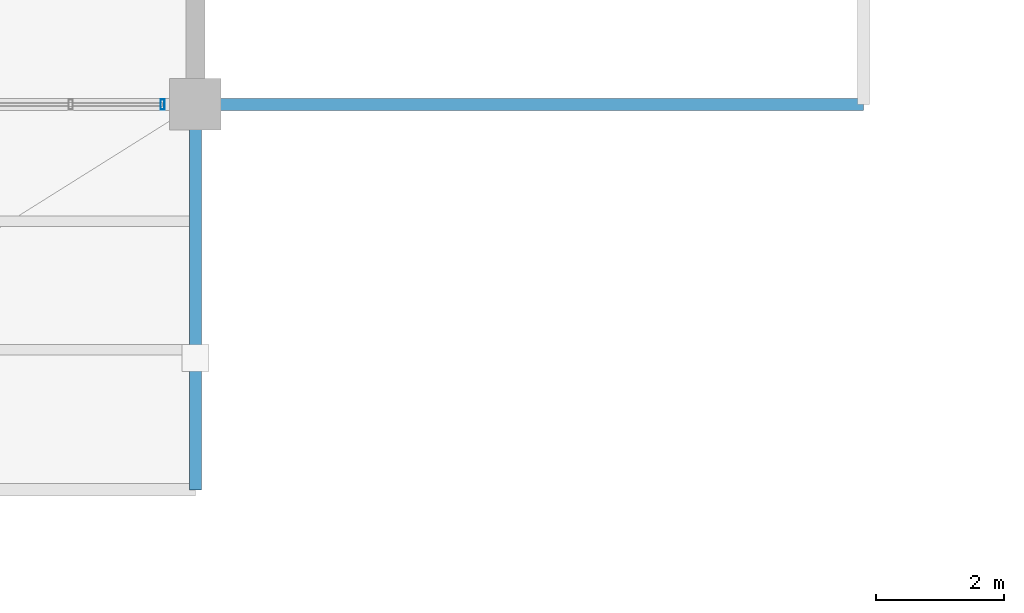
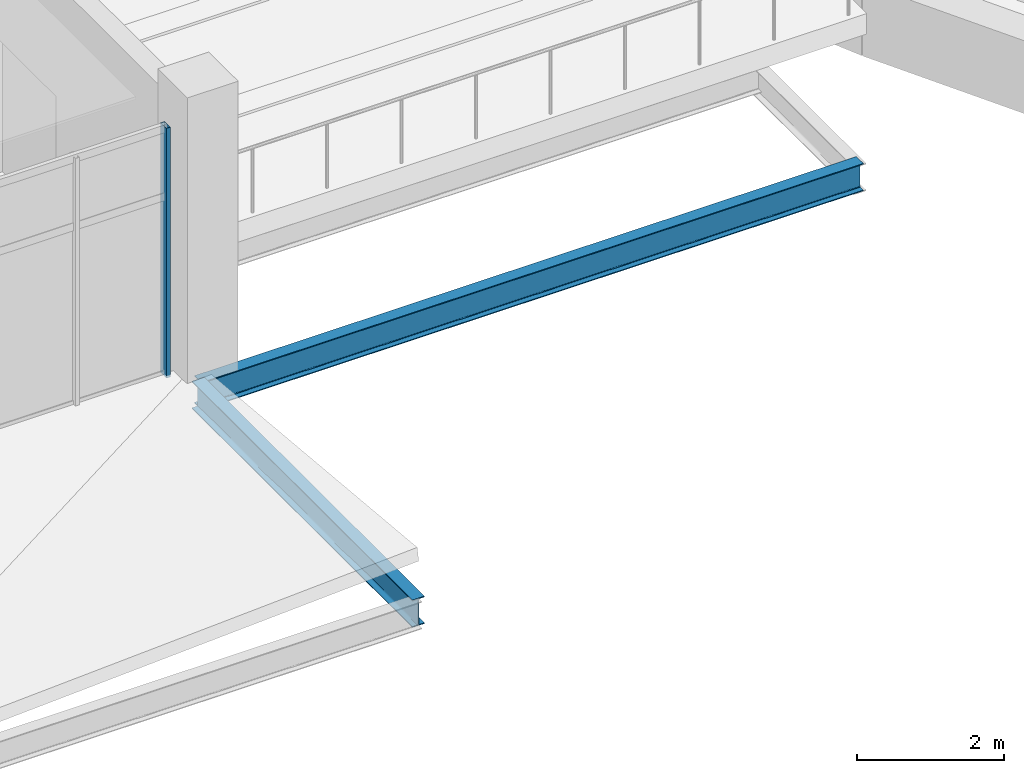
# One storey, part 107 of 157: 2 beams, 1 member, 1 element without a shape of its own.
"""IFC4 building model written with IfcOpenShell, lengths in metres."""

from ifc_helpers import new_model, si_unit, direction, frame, origin, origin_2d, place, context, subcontext, project, spatial, hollow_rectangle, i_section, extrude, material, layer, layer_set, material_profile, profile_set, type_object, element, aggregate, save


model = new_model("IFC4")

# Units and contexts
model_context = context("Model", 3, precision=1e-05, world=origin(), true_north=direction((0.0, 1.0)))
body_context = subcontext(model_context, "Body", "Model", "MODEL_VIEW")
ifc_project = project(units=[si_unit("LENGTHUNIT", "METRE"), si_unit("AREAUNIT", "SQUARE_METRE"), si_unit("VOLUMEUNIT", "CUBIC_METRE"), si_unit("PLANEANGLEUNIT", "RADIAN"), si_unit("MASSUNIT", "GRAM", prefix="KILO")], contexts=[model_context])

# Site, building, storey
site_placement = place(None, origin())
site = spatial("IfcSite", under=ifc_project, at=site_placement, CompositionType="ELEMENT")
building_placement = place(site_placement, origin())
building = spatial("IfcBuilding", under=site, at=building_placement, Name="Chalmorin Arch Market", CompositionType="ELEMENT")
storey_placement = place(building_placement, frame((0.0, 0.0, 4.800048828125)))
storey = spatial("IfcBuildingStorey", under=building, at=storey_placement, Name="L01", CompositionType="ELEMENT", Elevation=4.800048828125)

# Curtain wall, member
ifc_material_1 = material(Name="Aluminium 6063-T6", Category="aluminium")
ifc_layer = layer(ifc_material_1, 0.159912109375)
ifc_layer_set = layer_set([ifc_layer], Name="Aluminium 6063-T6")
curtain_wall_type = type_object("IfcCurtainWallType", Name="MarketClerestoryCurtainWall-CW1-8580x4150", PredefinedType="NOTDEFINED", material=ifc_layer_set)
curtain_wall_placement = place(storey_placement, origin())
curtain_wall = element("IfcCurtainWall", 1, at=curtain_wall_placement, inside=storey, type_object=curtain_wall_type, Name="CW-01-022", PredefinedType="NOTDEFINED")
ifc_material_profile_1 = material_profile(ifc_material_1, hollow_rectangle(XDim=0.06494140625, YDim=0.159912109375, WallThickness=0.00390625, at=origin_2d()), Name="ALU65X160X4")
ifc_profile_set_1 = profile_set([ifc_material_profile_1], Name="Aluminium 6063-T6")
member_type = type_object("IfcMemberType", Name="CurtainWallMullion-65x160", PredefinedType="MULLION", material=ifc_profile_set_1)
member_placement = place(storey_placement, frame((124.2900390625, 6.0, 0.0), z_axis=(0.0, 0.0, 1.0), x_axis=(1.0, 0.0, 0.0)))
member = element("IfcMember", 2, at=member_placement, type_object=member_type, Name="ML-022-07", PredefinedType="MULLION", context=body_context, shape_type="SweptSolid", body=[
    extrude(hollow_rectangle(XDim=0.06494140625, YDim=0.159912109375, WallThickness=0.00390625, at=origin_2d()), origin(), (0.0, 0.0, 1.0), 4.14990234375),
])
aggregate(curtain_wall, [member])

# Beams
ifc_material_2 = material(Name="Steel A992 Grade 50", Category="steel")
ifc_material_profile_2 = material_profile(ifc_material_2, i_section(OverallWidth=0.19091796875, OverallDepth=0.45703125, WebThickness=0.009033203125, FlangeThickness=0.014404296875, FilletRadius=0.02001953125, at=origin_2d()), Name="W18X50")
ifc_profile_set_2 = profile_set([ifc_material_profile_2], Name="Steel A992 Grade 50")
beam_type = type_object("IfcBeamType", Name="PerimeterSpandrelBeam-W18X50", PredefinedType="SPANDREL", material=ifc_profile_set_2)
beam_1_placement = place(storey_placement, frame((124.800048828125, 6.0, -0.48046875), z_axis=(1.0, 0.0, 0.0), x_axis=(0.0, 1.0, 0.0)))
element("IfcBeam", 3, at=beam_1_placement, inside=storey, type_object=beam_type, Name="SP-W18-0680", PredefinedType="SPANDREL", context=body_context, shape_type="SweptSolid", body=[
    extrude(i_section(OverallWidth=0.19091796875, OverallDepth=0.45703125, WebThickness=0.009033203125, FlangeThickness=0.014404296875, FilletRadius=0.02001953125, at=origin_2d()), origin(), (0.0, 0.0, 1.0), 10.39990234375),
])
beam_2_placement = place(storey_placement, frame((124.800048828125, 0.0, -0.48046875), z_axis=(0.0, 1.0, 0.0), x_axis=(-1.0, 0.0, 0.0)))
element("IfcBeam", 4, at=beam_2_placement, inside=storey, type_object=beam_type, Name="SP-W18-1051", PredefinedType="SPANDREL", context=body_context, shape_type="SweptSolid", body=[
    extrude(i_section(OverallWidth=0.19091796875, OverallDepth=0.45703125, WebThickness=0.009033203125, FlangeThickness=0.014404296875, FilletRadius=0.02001953125, at=origin_2d()), origin(), (0.0, 0.0, 1.0), 6.0),
])

save(model, "model.ifc")
